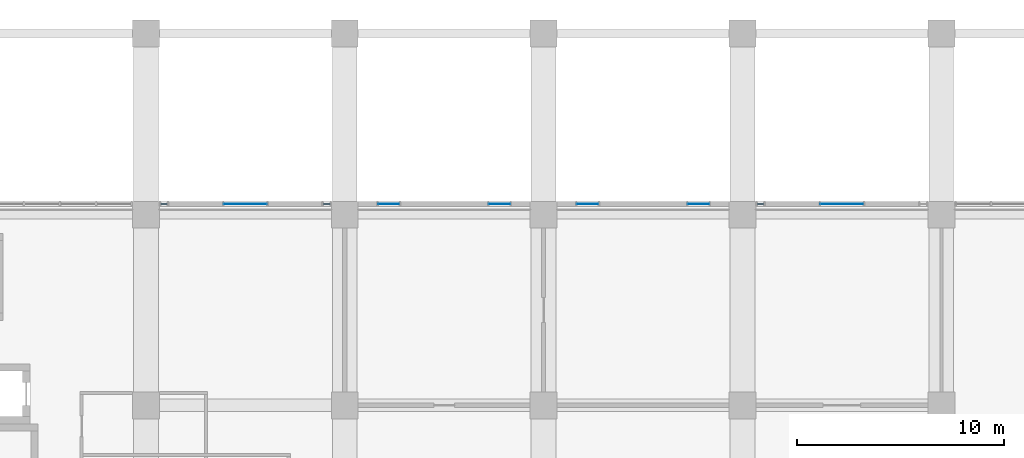
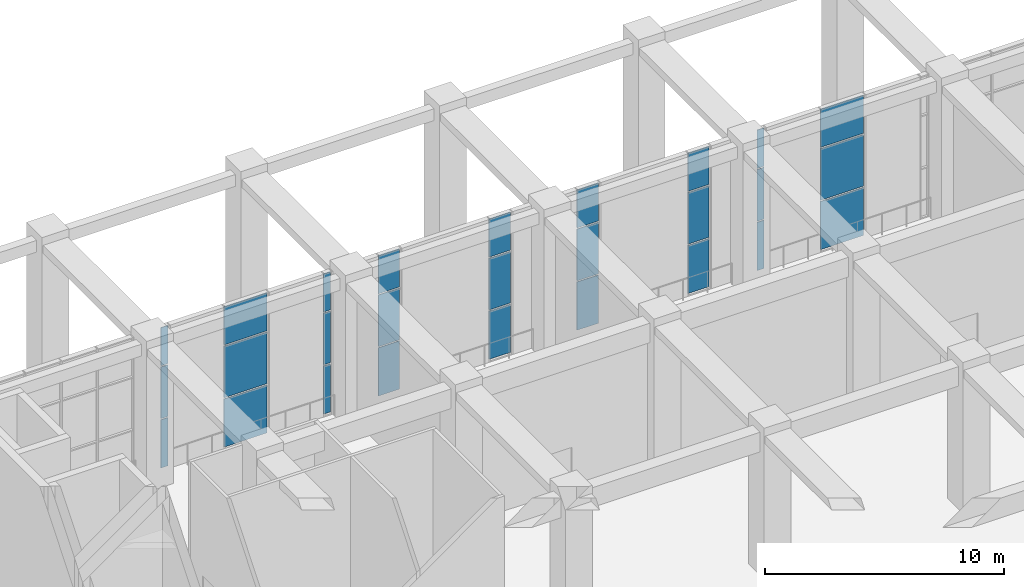
# One storey, part 9 of 33: 27 plates, 9 elements without a shape of their own.
"""IFC4 building model written with IfcOpenShell, lengths in metres."""

import ifcopenshell
import ifcopenshell.guid

model = None  # the IFC model being written
_history = None  # IfcOwnerHistory: only IFC2X3 demands one
_inside = {}  # id of a spatial element -> (the spatial element, [elements in it])
_under = {}  # id of a project, library or spatial element -> (it, [spatial elements below it])
_declared = {}  # id of a project -> (the project, [libraries it declares])
_typed = {}  # id of a type object -> (the type object, [elements of that type])
_made_of = {}  # id of a material, layer set ... -> (it, [elements and type objects made of it])


def new_model(schema):
    """Start an empty IFC model of exactly this schema.

    Asked for "IFC4X3", IfcOpenShell would pick the latest addendum, in which some entities
    have other attributes; the version numbers below select the first issue.
    IFC2X3 requires an IfcOwnerHistory on every rooted entity: one is made here for all.
    """
    global model, _history
    if schema == "IFC4X3":
        model = ifcopenshell.file(schema_version=(4, 3, 0, 0))
    else:
        model = ifcopenshell.file(schema=schema)
    _inside.clear()
    _under.clear()
    _declared.clear()
    _typed.clear()
    _made_of.clear()
    _history = None
    if model.schema == "IFC2X3":
        org = make("IfcOrganization", Name="unknown")
        user = make(
            "IfcPersonAndOrganization",
            ThePerson=make("IfcPerson", FamilyName="unknown"),
            TheOrganization=org,
        )
        app = make(
            "IfcApplication",
            ApplicationDeveloper=org,
            Version="unknown",
            ApplicationFullName="unknown",
            ApplicationIdentifier="unknown",
        )
        _history = make(
            "IfcOwnerHistory",
            OwningUser=user,
            OwningApplication=app,
            ChangeAction="ADDED",
            CreationDate=0,
        )
    return model


def make(cls, **values):
    """One entity of the class cls with the attributes given. An attribute that is None is left unset."""
    return model.create_entity(
        cls, **{name: value for name, value in values.items() if value is not None}
    )


def rooted(cls, **values):
    """An entity with a GlobalId (a new one), such as an element, a storey or a relation."""
    return make(cls, GlobalId=ifcopenshell.guid.new(), OwnerHistory=_history, **values)


def si_unit(unit_type, name, prefix=None):
    """IfcSIUnit, for example si_unit("LENGTHUNIT", "METRE", prefix="MILLI")."""
    return make("IfcSIUnit", UnitType=unit_type, Prefix=prefix, Name=name)


def assignment(units):
    """IfcUnitAssignment: the units of a project."""
    return None if units is None else make("IfcUnitAssignment", Units=units)


def point(xyz):
    """IfcCartesianPoint."""
    return None if xyz is None else make("IfcCartesianPoint", Coordinates=xyz)


def direction(xyz):
    """IfcDirection."""
    return None if xyz is None else make("IfcDirection", DirectionRatios=xyz)


def frame(location, z_axis=None, x_axis=None):
    """IfcAxis2Placement3D, a coordinate frame: its origin and axes. An axis left out is left unset."""
    return make(
        "IfcAxis2Placement3D",
        Location=point(location),
        Axis=direction(z_axis),
        RefDirection=direction(x_axis),
    )


def frame_2d(location, x_axis=None):
    """IfcAxis2Placement2D, a coordinate frame in the plane: its origin and x axis."""
    return make(
        "IfcAxis2Placement2D", Location=point(location), RefDirection=direction(x_axis)
    )


def origin():
    """The frame at (0, 0, 0) with its axes left unset."""
    return frame((0.0, 0.0, 0.0))


def origin_2d():
    """The frame at (0, 0) in the plane with its x axis left unset."""
    return frame_2d((0.0, 0.0))


def place(relative_to, where):
    """IfcLocalPlacement: puts the frame where relative to a parent placement (None: the world)."""
    return make(
        "IfcLocalPlacement", PlacementRelTo=relative_to, RelativePlacement=where
    )


def context(
    kind, dimensions, precision=None, world=None, true_north=None, identifier=None
):
    """IfcGeometricRepresentationContext, for example the 3D "Model" context."""
    return make(
        "IfcGeometricRepresentationContext",
        ContextIdentifier=identifier,
        ContextType=kind,
        CoordinateSpaceDimension=dimensions,
        Precision=precision,
        WorldCoordinateSystem=world,
        TrueNorth=true_north,
    )


def subcontext(parent, identifier, kind, view, scale=None):
    """IfcGeometricRepresentationSubContext, for example "Body" below "Model"."""
    return make(
        "IfcGeometricRepresentationSubContext",
        ContextIdentifier=identifier,
        ContextType=kind,
        ParentContext=parent,
        TargetScale=scale,
        TargetView=view,
    )


def project(units=None, contexts=None):
    """IfcProject with its units and contexts."""
    return rooted(
        "IfcProject",
        Name="project",
        RepresentationContexts=contexts,
        UnitsInContext=assignment(units),
    )


def spatial(cls, under=None, at=None, **own):
    """A site, building, storey or space (cls), placed at a placement, below another one or the project."""
    s = rooted(cls, ObjectPlacement=at, **own)
    if under is not None:
        _under.setdefault(under.id(), (under, []))[1].append(s)
    return s


def profile(cls, at=None, kind="AREA", **sizes):
    """A parametric profile (cls). Its sizes go by their IFC names, for example OverallWidth=200.0."""
    return make(cls, ProfileType=kind, Position=at, **sizes)


def rectangle(**sizes):
    """IfcRectangleProfileDef."""
    return profile("IfcRectangleProfileDef", **sizes)


def extrude(swept, where, along, depth):
    """IfcExtrudedAreaSolid: the profile swept, set in the frame where, extruded along a direction by depth."""
    return make(
        "IfcExtrudedAreaSolid",
        SweptArea=swept,
        Position=where,
        ExtrudedDirection=direction(along),
        Depth=depth,
    )


def shape(context_of_items, identifier, shape_type, items):
    """IfcShapeRepresentation: the items that make up one representation, for example the "Body"."""
    return make(
        "IfcShapeRepresentation",
        ContextOfItems=context_of_items,
        RepresentationIdentifier=identifier,
        RepresentationType=shape_type,
        Items=items,
    )


def material(Name=None, Category=None):
    """IfcMaterial."""
    return make("IfcMaterial", Name=Name, Category=Category)


def layer(
    of_material, thickness, ventilated=None, Name=None, Category=None, Priority=None
):
    """IfcMaterialLayer: one layer of a wall or slab, of a material (None: an air gap)."""
    return make(
        "IfcMaterialLayer",
        Material=of_material,
        LayerThickness=thickness,
        IsVentilated=ventilated,
        Name=Name,
        Category=Category,
        Priority=Priority,
    )


def layer_set(layers, Name=None):
    """IfcMaterialLayerSet."""
    return make("IfcMaterialLayerSet", MaterialLayers=layers, LayerSetName=Name)


def made_of(thing, what):
    """Note that an element or type object is made of a material, layer set ...; save() writes the relation."""
    if what is not None:
        _made_of.setdefault(what.id(), (what, []))[1].append(thing)
    return thing


def type_object(cls, material=None, **own):
    """A type object (cls), such as IfcWallType, which elements share."""
    return made_of(rooted(cls, **own), material)


def element(
    cls,
    number,
    at=None,
    inside=None,
    cuts=None,
    type_object=None,
    material=None,
    context=None,
    identifier="Body",
    shape_type=None,
    held_by="IfcProductDefinitionShape",
    body=None,
    shapes=None,
    **own,
):
    """One element of the class cls, such as IfcWall. Its Tag is "e" and its number.

    at: its placement. inside: the storey or other place that contains it. cuts: it is an
    opening in that element (IfcRelVoidsElement). A single representation is given by context,
    identifier, shape_type and body (its items); several are given by shapes. held_by: the class
    of the entity that holds the representations. save() writes the other relations.
    """
    e = rooted(cls, Tag="e%d" % number, ObjectPlacement=at, **own)
    if body is not None:
        shapes = [shape(context, identifier, shape_type, body)]
    if shapes is not None:
        e.Representation = make(held_by, Representations=shapes)
    if inside is not None:
        _inside.setdefault(inside.id(), (inside, []))[1].append(e)
    if cuts is not None:
        rooted(
            "IfcRelVoidsElement", RelatingBuildingElement=cuts, RelatedOpeningElement=e
        )
    if type_object is not None:
        _typed.setdefault(type_object.id(), (type_object, []))[1].append(e)
    return made_of(e, material)


def aggregate(whole, parts):
    """IfcRelAggregates: a whole, such as a stair, and the parts it consists of."""
    return rooted("IfcRelAggregates", RelatingObject=whole, RelatedObjects=parts)


def save(model, path):
    """Write the relations noted so far, then the file.

    IfcRelAggregates (storeys below a building ...), IfcRelContainedInSpatialStructure (elements
    in a storey), IfcRelDefinesByType, IfcRelAssociatesMaterial and IfcRelDeclares: one each for
    every whole, place, type object, material and project.
    """
    for whole, parts in _under.values():
        aggregate(whole, parts)
    for where, things in _inside.values():
        rooted(
            "IfcRelContainedInSpatialStructure",
            RelatedElements=things,
            RelatingStructure=where,
        )
    for kind, things in _typed.values():
        rooted("IfcRelDefinesByType", RelatedObjects=things, RelatingType=kind)
    for what, things in _made_of.values():
        rooted("IfcRelAssociatesMaterial", RelatedObjects=things, RelatingMaterial=what)
    for by, libraries in _declared.values():
        rooted("IfcRelDeclares", RelatingContext=by, RelatedDefinitions=libraries)
    model.write(path)


model = new_model("IFC4")

# Units and contexts
model_context = context("Model", 3, precision=1e-05, world=origin(), true_north=direction((0.0, 1.0)))
body_context = subcontext(model_context, "Body", "Model", "MODEL_VIEW")
ifc_project = project(units=[si_unit("LENGTHUNIT", "METRE"), si_unit("AREAUNIT", "SQUARE_METRE"), si_unit("VOLUMEUNIT", "CUBIC_METRE"), si_unit("PLANEANGLEUNIT", "RADIAN"), si_unit("MASSUNIT", "GRAM", prefix="KILO")], contexts=[model_context])

# Site, building, storey
site_placement = place(None, origin())
site = spatial("IfcSite", under=ifc_project, at=site_placement, CompositionType="ELEMENT")
building_placement = place(site_placement, origin())
building = spatial("IfcBuilding", under=site, at=building_placement, Name="Nzadi Deep Aquarium and Research Tower", CompositionType="ELEMENT")
storey_placement = place(building_placement, frame((0.0, 0.0, 6.5)))
storey = spatial("IfcBuildingStorey", under=building, at=storey_placement, Name="L01", CompositionType="ELEMENT", Elevation=6.5)

# Curtain wall, plates
ifc_material_1 = material(Name="Aluminium stick frame", Category="aluminium")
ifc_layer_1 = layer(ifc_material_1, 0.25)
ifc_layer_set_1 = layer_set([ifc_layer_1], Name="Aluminium stick frame")
curtain_wall_type = type_object("IfcCurtainWallType", Name="Curtain wall Stick 250", PredefinedType="NOTDEFINED", material=ifc_layer_set_1)
curtain_wall_1_placement = place(storey_placement, origin())
curtain_wall_1 = element("IfcCurtainWall", 1, at=curtain_wall_1_placement, inside=storey, type_object=curtain_wall_type, Name="Lobby stick glazing L01", PredefinedType="NOTDEFINED")
ifc_material_2 = material(Name="Glass, deep ocean tint", Category="glass")
ifc_layer_2 = layer(ifc_material_2, 0.031982421875)
ifc_layer_set_2 = layer_set([ifc_layer_2], Name="Glass, deep ocean tint")
plate_type = type_object("IfcPlateType", Name="Glazing panel 32 Stick", PredefinedType="CURTAIN_PANEL", material=ifc_layer_set_2)
plate_1_placement = place(storey_placement, frame((10.47509765625, 132.125, 0.06005859375), z_axis=(0.0, 0.0, 1.0), x_axis=(1.0, 0.0, 0.0)))
plate_1 = element("IfcPlate", 2, at=plate_1_placement, type_object=plate_type, Name="CW230 panel 1.1", PredefinedType="CURTAIN_PANEL", context=body_context, shape_type="SweptSolid", body=[
    extrude(rectangle(XDim=0.330078125, YDim=0.031982421875, at=origin_2d()), origin(), (0.0, 0.0, 1.0), 2.4599609375),
])
plate_2_placement = place(storey_placement, frame((10.47509765625, 132.125, 2.580078125), z_axis=(0.0, 0.0, 1.0), x_axis=(1.0, 0.0, 0.0)))
plate_2 = element("IfcPlate", 3, at=plate_2_placement, type_object=plate_type, Name="CW230 panel 1.2", PredefinedType="CURTAIN_PANEL", context=body_context, shape_type="SweptSolid", body=[
    extrude(rectangle(XDim=0.330078125, YDim=0.031982421875, at=origin_2d()), origin(), (0.0, 0.0, 1.0), 2.638916015625),
])
plate_3_placement = place(storey_placement, frame((10.47509765625, 132.125, 5.27880859375), z_axis=(0.0, 0.0, 1.0), x_axis=(1.0, 0.0, 0.0)))
plate_3 = element("IfcPlate", 4, at=plate_3_placement, type_object=plate_type, Name="CW230 panel 1.3", PredefinedType="CURTAIN_PANEL", context=body_context, shape_type="SweptSolid", body=[
    extrude(rectangle(XDim=0.330078125, YDim=0.031982421875, at=origin_2d()), origin(), (0.0, 0.0, 1.0), 1.950927734375),
])
aggregate(curtain_wall_1, [plate_1, plate_2, plate_3])

curtain_wall_2_placement = place(storey_placement, origin())
curtain_wall_2 = element("IfcCurtainWall", 5, at=curtain_wall_2_placement, inside=storey, type_object=curtain_wall_type, Name="Lobby stick glazing L01", PredefinedType="NOTDEFINED")
plate_4_placement = place(storey_placement, frame((14.39990234375, 132.125, 0.06005859375), z_axis=(0.0, 0.0, 1.0), x_axis=(1.0, 0.0, 0.0)))
plate_4 = element("IfcPlate", 6, at=plate_4_placement, type_object=plate_type, Name="CW231 panel 1.1", PredefinedType="CURTAIN_PANEL", context=body_context, shape_type="SweptSolid", body=[
    extrude(rectangle(XDim=2.080078125, YDim=0.031982421875, at=origin_2d()), origin(), (0.0, 0.0, 1.0), 2.4599609375),
])
plate_5_placement = place(storey_placement, frame((14.39990234375, 132.125, 2.580078125), z_axis=(0.0, 0.0, 1.0), x_axis=(1.0, 0.0, 0.0)))
plate_5 = element("IfcPlate", 7, at=plate_5_placement, type_object=plate_type, Name="CW231 panel 1.2", PredefinedType="CURTAIN_PANEL", context=body_context, shape_type="SweptSolid", body=[
    extrude(rectangle(XDim=2.080078125, YDim=0.031982421875, at=origin_2d()), origin(), (0.0, 0.0, 1.0), 2.638916015625),
])
plate_6_placement = place(storey_placement, frame((14.39990234375, 132.125, 5.27880859375), z_axis=(0.0, 0.0, 1.0), x_axis=(1.0, 0.0, 0.0)))
plate_6 = element("IfcPlate", 8, at=plate_6_placement, type_object=plate_type, Name="CW231 panel 1.3", PredefinedType="CURTAIN_PANEL", context=body_context, shape_type="SweptSolid", body=[
    extrude(rectangle(XDim=2.080078125, YDim=0.031982421875, at=origin_2d()), origin(), (0.0, 0.0, 1.0), 1.950927734375),
])
aggregate(curtain_wall_2, [plate_4, plate_5, plate_6])

curtain_wall_3_placement = place(storey_placement, origin())
curtain_wall_3 = element("IfcCurtainWall", 9, at=curtain_wall_3_placement, inside=storey, type_object=curtain_wall_type, Name="Lobby stick glazing L01", PredefinedType="NOTDEFINED")
plate_7_placement = place(storey_placement, frame((18.324951171875, 132.125, 0.06005859375), z_axis=(0.0, 0.0, 1.0), x_axis=(1.0, 0.0, 0.0)))
plate_7 = element("IfcPlate", 10, at=plate_7_placement, type_object=plate_type, Name="CW232 panel 1.1", PredefinedType="CURTAIN_PANEL", context=body_context, shape_type="SweptSolid", body=[
    extrude(rectangle(XDim=0.330078125, YDim=0.031982421875, at=origin_2d()), origin(), (0.0, 0.0, 1.0), 2.4599609375),
])
plate_8_placement = place(storey_placement, frame((18.324951171875, 132.125, 2.580078125), z_axis=(0.0, 0.0, 1.0), x_axis=(1.0, 0.0, 0.0)))
plate_8 = element("IfcPlate", 11, at=plate_8_placement, type_object=plate_type, Name="CW232 panel 1.2", PredefinedType="CURTAIN_PANEL", context=body_context, shape_type="SweptSolid", body=[
    extrude(rectangle(XDim=0.330078125, YDim=0.031982421875, at=origin_2d()), origin(), (0.0, 0.0, 1.0), 2.638916015625),
])
plate_9_placement = place(storey_placement, frame((18.324951171875, 132.125, 5.27880859375), z_axis=(0.0, 0.0, 1.0), x_axis=(1.0, 0.0, 0.0)))
plate_9 = element("IfcPlate", 12, at=plate_9_placement, type_object=plate_type, Name="CW232 panel 1.3", PredefinedType="CURTAIN_PANEL", context=body_context, shape_type="SweptSolid", body=[
    extrude(rectangle(XDim=0.330078125, YDim=0.031982421875, at=origin_2d()), origin(), (0.0, 0.0, 1.0), 1.950927734375),
])
aggregate(curtain_wall_3, [plate_7, plate_8, plate_9])

curtain_wall_4_placement = place(storey_placement, origin())
curtain_wall_4 = element("IfcCurtainWall", 13, at=curtain_wall_4_placement, inside=storey, type_object=curtain_wall_type, Name="Lobby stick glazing L01", PredefinedType="NOTDEFINED")
plate_10_placement = place(storey_placement, frame((21.324951171875, 132.125, 0.06005859375), z_axis=(0.0, 0.0, 1.0), x_axis=(1.0, 0.0, 0.0)))
plate_10 = element("IfcPlate", 14, at=plate_10_placement, type_object=plate_type, Name="CW235 panel 1.1", PredefinedType="CURTAIN_PANEL", context=body_context, shape_type="SweptSolid", body=[
    extrude(rectangle(XDim=1.030029296875, YDim=0.031982421875, at=origin_2d()), origin(), (0.0, 0.0, 1.0), 2.4599609375),
])
plate_11_placement = place(storey_placement, frame((21.324951171875, 132.125, 2.580078125), z_axis=(0.0, 0.0, 1.0), x_axis=(1.0, 0.0, 0.0)))
plate_11 = element("IfcPlate", 15, at=plate_11_placement, type_object=plate_type, Name="CW235 panel 1.2", PredefinedType="CURTAIN_PANEL", context=body_context, shape_type="SweptSolid", body=[
    extrude(rectangle(XDim=1.030029296875, YDim=0.031982421875, at=origin_2d()), origin(), (0.0, 0.0, 1.0), 2.638916015625),
])
plate_12_placement = place(storey_placement, frame((21.324951171875, 132.125, 5.27880859375), z_axis=(0.0, 0.0, 1.0), x_axis=(1.0, 0.0, 0.0)))
plate_12 = element("IfcPlate", 16, at=plate_12_placement, type_object=plate_type, Name="CW235 panel 1.3", PredefinedType="CURTAIN_PANEL", context=body_context, shape_type="SweptSolid", body=[
    extrude(rectangle(XDim=1.030029296875, YDim=0.031982421875, at=origin_2d()), origin(), (0.0, 0.0, 1.0), 1.950927734375),
])
aggregate(curtain_wall_4, [plate_10, plate_11, plate_12])

curtain_wall_5_placement = place(storey_placement, origin())
curtain_wall_5 = element("IfcCurtainWall", 17, at=curtain_wall_5_placement, inside=storey, type_object=curtain_wall_type, Name="Lobby stick glazing L01", PredefinedType="NOTDEFINED")
plate_13_placement = place(storey_placement, frame((26.675048828125, 132.125, 0.06005859375), z_axis=(0.0, 0.0, 1.0), x_axis=(1.0, 0.0, 0.0)))
plate_13 = element("IfcPlate", 18, at=plate_13_placement, type_object=plate_type, Name="CW236 panel 1.1", PredefinedType="CURTAIN_PANEL", context=body_context, shape_type="SweptSolid", body=[
    extrude(rectangle(XDim=1.030029296875, YDim=0.031982421875, at=origin_2d()), origin(), (0.0, 0.0, 1.0), 2.4599609375),
])
plate_14_placement = place(storey_placement, frame((26.675048828125, 132.125, 2.580078125), z_axis=(0.0, 0.0, 1.0), x_axis=(1.0, 0.0, 0.0)))
plate_14 = element("IfcPlate", 19, at=plate_14_placement, type_object=plate_type, Name="CW236 panel 1.2", PredefinedType="CURTAIN_PANEL", context=body_context, shape_type="SweptSolid", body=[
    extrude(rectangle(XDim=1.030029296875, YDim=0.031982421875, at=origin_2d()), origin(), (0.0, 0.0, 1.0), 2.638916015625),
])
plate_15_placement = place(storey_placement, frame((26.675048828125, 132.125, 5.27880859375), z_axis=(0.0, 0.0, 1.0), x_axis=(1.0, 0.0, 0.0)))
plate_15 = element("IfcPlate", 20, at=plate_15_placement, type_object=plate_type, Name="CW236 panel 1.3", PredefinedType="CURTAIN_PANEL", context=body_context, shape_type="SweptSolid", body=[
    extrude(rectangle(XDim=1.030029296875, YDim=0.031982421875, at=origin_2d()), origin(), (0.0, 0.0, 1.0), 1.950927734375),
])
aggregate(curtain_wall_5, [plate_13, plate_14, plate_15])

curtain_wall_6_placement = place(storey_placement, origin())
curtain_wall_6 = element("IfcCurtainWall", 21, at=curtain_wall_6_placement, inside=storey, type_object=curtain_wall_type, Name="Lobby stick glazing L01", PredefinedType="NOTDEFINED")
plate_16_placement = place(storey_placement, frame((30.925048828125, 132.125, 0.06005859375), z_axis=(0.0, 0.0, 1.0), x_axis=(1.0, 0.0, 0.0)))
plate_16 = element("IfcPlate", 22, at=plate_16_placement, type_object=plate_type, Name="CW239 panel 1.1", PredefinedType="CURTAIN_PANEL", context=body_context, shape_type="SweptSolid", body=[
    extrude(rectangle(XDim=1.030029296875, YDim=0.031982421875, at=origin_2d()), origin(), (0.0, 0.0, 1.0), 2.4599609375),
])
plate_17_placement = place(storey_placement, frame((30.925048828125, 132.125, 2.580078125), z_axis=(0.0, 0.0, 1.0), x_axis=(1.0, 0.0, 0.0)))
plate_17 = element("IfcPlate", 23, at=plate_17_placement, type_object=plate_type, Name="CW239 panel 1.2", PredefinedType="CURTAIN_PANEL", context=body_context, shape_type="SweptSolid", body=[
    extrude(rectangle(XDim=1.030029296875, YDim=0.031982421875, at=origin_2d()), origin(), (0.0, 0.0, 1.0), 2.638916015625),
])
plate_18_placement = place(storey_placement, frame((30.925048828125, 132.125, 5.27880859375), z_axis=(0.0, 0.0, 1.0), x_axis=(1.0, 0.0, 0.0)))
plate_18 = element("IfcPlate", 24, at=plate_18_placement, type_object=plate_type, Name="CW239 panel 1.3", PredefinedType="CURTAIN_PANEL", context=body_context, shape_type="SweptSolid", body=[
    extrude(rectangle(XDim=1.030029296875, YDim=0.031982421875, at=origin_2d()), origin(), (0.0, 0.0, 1.0), 1.950927734375),
])
aggregate(curtain_wall_6, [plate_16, plate_17, plate_18])

curtain_wall_7_placement = place(storey_placement, origin())
curtain_wall_7 = element("IfcCurtainWall", 25, at=curtain_wall_7_placement, inside=storey, type_object=curtain_wall_type, Name="Lobby stick glazing L01", PredefinedType="NOTDEFINED")
plate_19_placement = place(storey_placement, frame((36.27490234375, 132.125, 0.06005859375), z_axis=(0.0, 0.0, 1.0), x_axis=(1.0, 0.0, 0.0)))
plate_19 = element("IfcPlate", 26, at=plate_19_placement, type_object=plate_type, Name="CW240 panel 1.1", PredefinedType="CURTAIN_PANEL", context=body_context, shape_type="SweptSolid", body=[
    extrude(rectangle(XDim=1.030029296875, YDim=0.031982421875, at=origin_2d()), origin(), (0.0, 0.0, 1.0), 2.4599609375),
])
plate_20_placement = place(storey_placement, frame((36.27490234375, 132.125, 2.580078125), z_axis=(0.0, 0.0, 1.0), x_axis=(1.0, 0.0, 0.0)))
plate_20 = element("IfcPlate", 27, at=plate_20_placement, type_object=plate_type, Name="CW240 panel 1.2", PredefinedType="CURTAIN_PANEL", context=body_context, shape_type="SweptSolid", body=[
    extrude(rectangle(XDim=1.030029296875, YDim=0.031982421875, at=origin_2d()), origin(), (0.0, 0.0, 1.0), 2.638916015625),
])
plate_21_placement = place(storey_placement, frame((36.27490234375, 132.125, 5.27880859375), z_axis=(0.0, 0.0, 1.0), x_axis=(1.0, 0.0, 0.0)))
plate_21 = element("IfcPlate", 28, at=plate_21_placement, type_object=plate_type, Name="CW240 panel 1.3", PredefinedType="CURTAIN_PANEL", context=body_context, shape_type="SweptSolid", body=[
    extrude(rectangle(XDim=1.030029296875, YDim=0.031982421875, at=origin_2d()), origin(), (0.0, 0.0, 1.0), 1.950927734375),
])
aggregate(curtain_wall_7, [plate_19, plate_20, plate_21])

curtain_wall_8_placement = place(storey_placement, origin())
curtain_wall_8 = element("IfcCurtainWall", 29, at=curtain_wall_8_placement, inside=storey, type_object=curtain_wall_type, Name="Lobby stick glazing L01", PredefinedType="NOTDEFINED")
plate_22_placement = place(storey_placement, frame((39.27490234375, 132.125, 0.06005859375), z_axis=(0.0, 0.0, 1.0), x_axis=(1.0, 0.0, 0.0)))
plate_22 = element("IfcPlate", 30, at=plate_22_placement, type_object=plate_type, Name="CW244 panel 1.1", PredefinedType="CURTAIN_PANEL", context=body_context, shape_type="SweptSolid", body=[
    extrude(rectangle(XDim=0.330078125, YDim=0.031982421875, at=origin_2d()), origin(), (0.0, 0.0, 1.0), 2.4599609375),
])
plate_23_placement = place(storey_placement, frame((39.27490234375, 132.125, 2.580078125), z_axis=(0.0, 0.0, 1.0), x_axis=(1.0, 0.0, 0.0)))
plate_23 = element("IfcPlate", 31, at=plate_23_placement, type_object=plate_type, Name="CW244 panel 1.2", PredefinedType="CURTAIN_PANEL", context=body_context, shape_type="SweptSolid", body=[
    extrude(rectangle(XDim=0.330078125, YDim=0.031982421875, at=origin_2d()), origin(), (0.0, 0.0, 1.0), 2.638916015625),
])
plate_24_placement = place(storey_placement, frame((39.27490234375, 132.125, 5.27880859375), z_axis=(0.0, 0.0, 1.0), x_axis=(1.0, 0.0, 0.0)))
plate_24 = element("IfcPlate", 32, at=plate_24_placement, type_object=plate_type, Name="CW244 panel 1.3", PredefinedType="CURTAIN_PANEL", context=body_context, shape_type="SweptSolid", body=[
    extrude(rectangle(XDim=0.330078125, YDim=0.031982421875, at=origin_2d()), origin(), (0.0, 0.0, 1.0), 1.950927734375),
])
aggregate(curtain_wall_8, [plate_22, plate_23, plate_24])

curtain_wall_9_placement = place(storey_placement, origin())
curtain_wall_9 = element("IfcCurtainWall", 33, at=curtain_wall_9_placement, inside=storey, type_object=curtain_wall_type, Name="Lobby stick glazing L01", PredefinedType="NOTDEFINED")
plate_25_placement = place(storey_placement, frame((43.199951171875, 132.125, 0.06005859375), z_axis=(0.0, 0.0, 1.0), x_axis=(1.0, 0.0, 0.0)))
plate_25 = element("IfcPlate", 34, at=plate_25_placement, type_object=plate_type, Name="CW245 panel 1.1", PredefinedType="CURTAIN_PANEL", context=body_context, shape_type="SweptSolid", body=[
    extrude(rectangle(XDim=2.080078125, YDim=0.031982421875, at=origin_2d()), origin(), (0.0, 0.0, 1.0), 2.4599609375),
])
plate_26_placement = place(storey_placement, frame((43.199951171875, 132.125, 2.580078125), z_axis=(0.0, 0.0, 1.0), x_axis=(1.0, 0.0, 0.0)))
plate_26 = element("IfcPlate", 35, at=plate_26_placement, type_object=plate_type, Name="CW245 panel 1.2", PredefinedType="CURTAIN_PANEL", context=body_context, shape_type="SweptSolid", body=[
    extrude(rectangle(XDim=2.080078125, YDim=0.031982421875, at=origin_2d()), origin(), (0.0, 0.0, 1.0), 2.638916015625),
])
plate_27_placement = place(storey_placement, frame((43.199951171875, 132.125, 5.27880859375), z_axis=(0.0, 0.0, 1.0), x_axis=(1.0, 0.0, 0.0)))
plate_27 = element("IfcPlate", 36, at=plate_27_placement, type_object=plate_type, Name="CW245 panel 1.3", PredefinedType="CURTAIN_PANEL", context=body_context, shape_type="SweptSolid", body=[
    extrude(rectangle(XDim=2.080078125, YDim=0.031982421875, at=origin_2d()), origin(), (0.0, 0.0, 1.0), 1.950927734375),
])
aggregate(curtain_wall_9, [plate_25, plate_26, plate_27])

save(model, "model.ifc")
